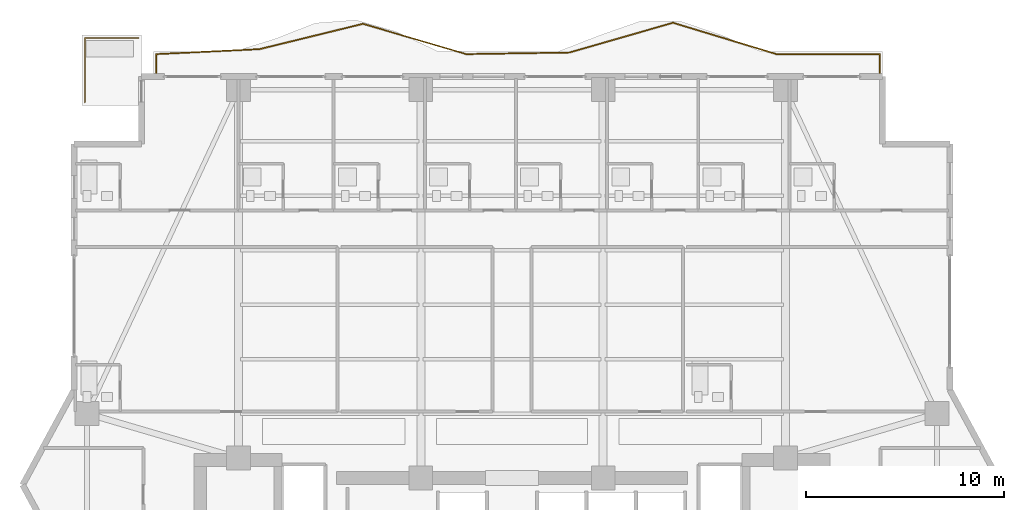
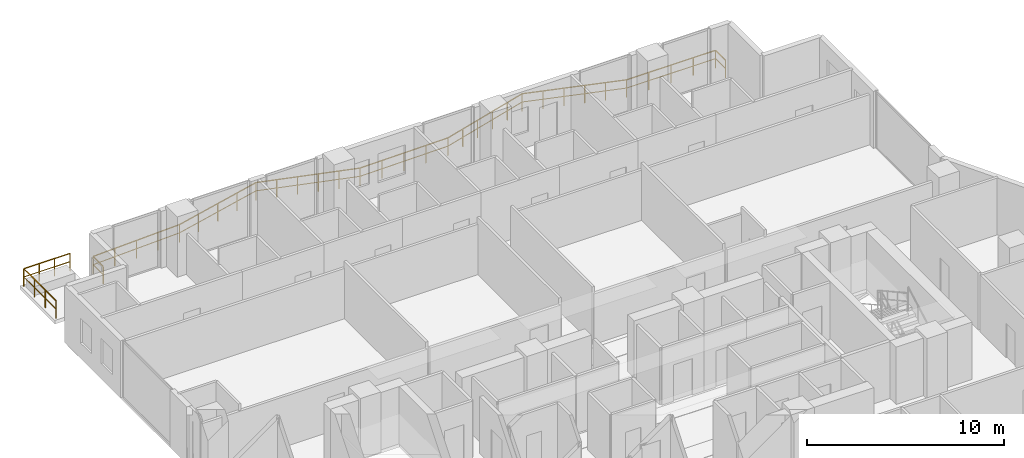
# One storey, part 31 of 32: 2 railings.
"""IFC4 building model written with IfcOpenShell, lengths in metres."""

import ifcopenshell
import ifcopenshell.guid

model = None  # the IFC model being written
_history = None  # IfcOwnerHistory: only IFC2X3 demands one
_inside = {}  # id of a spatial element -> (the spatial element, [elements in it])
_under = {}  # id of a project, library or spatial element -> (it, [spatial elements below it])
_declared = {}  # id of a project -> (the project, [libraries it declares])
_typed = {}  # id of a type object -> (the type object, [elements of that type])
_made_of = {}  # id of a material, layer set ... -> (it, [elements and type objects made of it])


def new_model(schema):
    """Start an empty IFC model of exactly this schema.

    Asked for "IFC4X3", IfcOpenShell would pick the latest addendum, in which some entities
    have other attributes; the version numbers below select the first issue.
    IFC2X3 requires an IfcOwnerHistory on every rooted entity: one is made here for all.
    """
    global model, _history
    if schema == "IFC4X3":
        model = ifcopenshell.file(schema_version=(4, 3, 0, 0))
    else:
        model = ifcopenshell.file(schema=schema)
    _inside.clear()
    _under.clear()
    _declared.clear()
    _typed.clear()
    _made_of.clear()
    _history = None
    if model.schema == "IFC2X3":
        org = make("IfcOrganization", Name="unknown")
        user = make(
            "IfcPersonAndOrganization",
            ThePerson=make("IfcPerson", FamilyName="unknown"),
            TheOrganization=org,
        )
        app = make(
            "IfcApplication",
            ApplicationDeveloper=org,
            Version="unknown",
            ApplicationFullName="unknown",
            ApplicationIdentifier="unknown",
        )
        _history = make(
            "IfcOwnerHistory",
            OwningUser=user,
            OwningApplication=app,
            ChangeAction="ADDED",
            CreationDate=0,
        )
    return model


def make(cls, **values):
    """One entity of the class cls with the attributes given. An attribute that is None is left unset."""
    return model.create_entity(
        cls, **{name: value for name, value in values.items() if value is not None}
    )


def rooted(cls, **values):
    """An entity with a GlobalId (a new one), such as an element, a storey or a relation."""
    return make(cls, GlobalId=ifcopenshell.guid.new(), OwnerHistory=_history, **values)


def si_unit(unit_type, name, prefix=None):
    """IfcSIUnit, for example si_unit("LENGTHUNIT", "METRE", prefix="MILLI")."""
    return make("IfcSIUnit", UnitType=unit_type, Prefix=prefix, Name=name)


def assignment(units):
    """IfcUnitAssignment: the units of a project."""
    return None if units is None else make("IfcUnitAssignment", Units=units)


def point(xyz):
    """IfcCartesianPoint."""
    return None if xyz is None else make("IfcCartesianPoint", Coordinates=xyz)


def direction(xyz):
    """IfcDirection."""
    return None if xyz is None else make("IfcDirection", DirectionRatios=xyz)


def frame(location, z_axis=None, x_axis=None):
    """IfcAxis2Placement3D, a coordinate frame: its origin and axes. An axis left out is left unset."""
    return make(
        "IfcAxis2Placement3D",
        Location=point(location),
        Axis=direction(z_axis),
        RefDirection=direction(x_axis),
    )


def frame_2d(location, x_axis=None):
    """IfcAxis2Placement2D, a coordinate frame in the plane: its origin and x axis."""
    return make(
        "IfcAxis2Placement2D", Location=point(location), RefDirection=direction(x_axis)
    )


def origin():
    """The frame at (0, 0, 0) with its axes left unset."""
    return frame((0.0, 0.0, 0.0))


def origin_2d():
    """The frame at (0, 0) in the plane with its x axis left unset."""
    return frame_2d((0.0, 0.0))


def place(relative_to, where):
    """IfcLocalPlacement: puts the frame where relative to a parent placement (None: the world)."""
    return make(
        "IfcLocalPlacement", PlacementRelTo=relative_to, RelativePlacement=where
    )


def context(
    kind, dimensions, precision=None, world=None, true_north=None, identifier=None
):
    """IfcGeometricRepresentationContext, for example the 3D "Model" context."""
    return make(
        "IfcGeometricRepresentationContext",
        ContextIdentifier=identifier,
        ContextType=kind,
        CoordinateSpaceDimension=dimensions,
        Precision=precision,
        WorldCoordinateSystem=world,
        TrueNorth=true_north,
    )


def subcontext(parent, identifier, kind, view, scale=None):
    """IfcGeometricRepresentationSubContext, for example "Body" below "Model"."""
    return make(
        "IfcGeometricRepresentationSubContext",
        ContextIdentifier=identifier,
        ContextType=kind,
        ParentContext=parent,
        TargetScale=scale,
        TargetView=view,
    )


def project(units=None, contexts=None):
    """IfcProject with its units and contexts."""
    return rooted(
        "IfcProject",
        Name="project",
        RepresentationContexts=contexts,
        UnitsInContext=assignment(units),
    )


def spatial(cls, under=None, at=None, **own):
    """A site, building, storey or space (cls), placed at a placement, below another one or the project."""
    s = rooted(cls, ObjectPlacement=at, **own)
    if under is not None:
        _under.setdefault(under.id(), (under, []))[1].append(s)
    return s


def profile(cls, at=None, kind="AREA", **sizes):
    """A parametric profile (cls). Its sizes go by their IFC names, for example OverallWidth=200.0."""
    return make(cls, ProfileType=kind, Position=at, **sizes)


def rectangle(**sizes):
    """IfcRectangleProfileDef."""
    return profile("IfcRectangleProfileDef", **sizes)


def extrude(swept, where, along, depth):
    """IfcExtrudedAreaSolid: the profile swept, set in the frame where, extruded along a direction by depth."""
    return make(
        "IfcExtrudedAreaSolid",
        SweptArea=swept,
        Position=where,
        ExtrudedDirection=direction(along),
        Depth=depth,
    )


def shape(context_of_items, identifier, shape_type, items):
    """IfcShapeRepresentation: the items that make up one representation, for example the "Body"."""
    return make(
        "IfcShapeRepresentation",
        ContextOfItems=context_of_items,
        RepresentationIdentifier=identifier,
        RepresentationType=shape_type,
        Items=items,
    )


def material(Name=None, Category=None):
    """IfcMaterial."""
    return make("IfcMaterial", Name=Name, Category=Category)


def made_of(thing, what):
    """Note that an element or type object is made of a material, layer set ...; save() writes the relation."""
    if what is not None:
        _made_of.setdefault(what.id(), (what, []))[1].append(thing)
    return thing


def type_object(cls, material=None, **own):
    """A type object (cls), such as IfcWallType, which elements share."""
    return made_of(rooted(cls, **own), material)


def element(
    cls,
    number,
    at=None,
    inside=None,
    cuts=None,
    type_object=None,
    material=None,
    context=None,
    identifier="Body",
    shape_type=None,
    held_by="IfcProductDefinitionShape",
    body=None,
    shapes=None,
    **own,
):
    """One element of the class cls, such as IfcWall. Its Tag is "e" and its number.

    at: its placement. inside: the storey or other place that contains it. cuts: it is an
    opening in that element (IfcRelVoidsElement). A single representation is given by context,
    identifier, shape_type and body (its items); several are given by shapes. held_by: the class
    of the entity that holds the representations. save() writes the other relations.
    """
    e = rooted(cls, Tag="e%d" % number, ObjectPlacement=at, **own)
    if body is not None:
        shapes = [shape(context, identifier, shape_type, body)]
    if shapes is not None:
        e.Representation = make(held_by, Representations=shapes)
    if inside is not None:
        _inside.setdefault(inside.id(), (inside, []))[1].append(e)
    if cuts is not None:
        rooted(
            "IfcRelVoidsElement", RelatingBuildingElement=cuts, RelatedOpeningElement=e
        )
    if type_object is not None:
        _typed.setdefault(type_object.id(), (type_object, []))[1].append(e)
    return made_of(e, material)


def aggregate(whole, parts):
    """IfcRelAggregates: a whole, such as a stair, and the parts it consists of."""
    return rooted("IfcRelAggregates", RelatingObject=whole, RelatedObjects=parts)


def save(model, path):
    """Write the relations noted so far, then the file.

    IfcRelAggregates (storeys below a building ...), IfcRelContainedInSpatialStructure (elements
    in a storey), IfcRelDefinesByType, IfcRelAssociatesMaterial and IfcRelDeclares: one each for
    every whole, place, type object, material and project.
    """
    for whole, parts in _under.values():
        aggregate(whole, parts)
    for where, things in _inside.values():
        rooted(
            "IfcRelContainedInSpatialStructure",
            RelatedElements=things,
            RelatingStructure=where,
        )
    for kind, things in _typed.values():
        rooted("IfcRelDefinesByType", RelatedObjects=things, RelatingType=kind)
    for what, things in _made_of.values():
        rooted("IfcRelAssociatesMaterial", RelatedObjects=things, RelatingMaterial=what)
    for by, libraries in _declared.values():
        rooted("IfcRelDeclares", RelatingContext=by, RelatedDefinitions=libraries)
    model.write(path)


model = new_model("IFC4")

# Units and contexts
model_context = context("Model", 3, precision=1e-05, world=origin(), true_north=direction((0.0, 1.0)))
body_context = subcontext(model_context, "Body", "Model", "MODEL_VIEW")
ifc_project = project(units=[si_unit("LENGTHUNIT", "METRE"), si_unit("AREAUNIT", "SQUARE_METRE"), si_unit("VOLUMEUNIT", "CUBIC_METRE"), si_unit("PLANEANGLEUNIT", "RADIAN"), si_unit("MASSUNIT", "GRAM", prefix="KILO")], contexts=[model_context])

# Site, building, storey
site_placement = place(None, origin())
site = spatial("IfcSite", under=ifc_project, at=site_placement, CompositionType="ELEMENT")
building_placement = place(site_placement, origin())
building = spatial("IfcBuilding", under=site, at=building_placement, Name="Zuhayl Quay Hotel", CompositionType="ELEMENT")
storey_placement = place(building_placement, frame((0.0, 0.0, 226.14990234375)))
storey = spatial("IfcBuildingStorey", under=building, at=storey_placement, Name="L57", CompositionType="ELEMENT", Elevation=226.14990234375)

# Railings
ifc_material = material(Name="Anodised Aluminium and Laminated Glass", Category="aluminium")
railing_type = type_object("IfcRailingType", Name="RL_EXT_BAL_1100", PredefinedType="BALUSTRADE", material=ifc_material)
railing_1_placement = place(storey_placement, frame((-17.9599609375, 33.719970703125, 0.0)))
element("IfcRailing", 1, at=railing_1_placement, inside=storey, type_object=railing_type, Name="L57 Balcony and Terrace Guard GR_L57_BAL_N", PredefinedType="BALUSTRADE", context=body_context, shape_type="SweptSolid", body=[
    extrude(rectangle(XDim=0.048095703125, YDim=0.048095703125, at=origin_2d()), frame((0.0, 0.0, 1.09619140625), z_axis=(0.0, 1.0, 0.0), x_axis=(-1.0, 0.0, 0.0)), (0.0, 0.0, 1.0), 1.02001953125),
    extrude(rectangle(XDim=0.0361328125, YDim=0.0361328125, at=origin_2d()), frame((0.0, 0.0, 0.58251953125), z_axis=(0.0, 1.0, 0.0), x_axis=(-1.0, 0.0, 0.0)), (0.0, 0.0, 1.0), 1.02001953125),
    extrude(rectangle(XDim=0.048095703125, YDim=0.048095703125, at=origin_2d()), frame((0.0, 1.02001953125, 1.09619140625), z_axis=(0.998844859472, 0.048051500563, 0.0), x_axis=(-0.048051500563, 0.998844859472, 0.0)), (0.0, 0.0, 1.0), 5.22314453125),
    extrude(rectangle(XDim=0.0361328125, YDim=0.0361328125, at=origin_2d()), frame((0.0, 1.02001953125, 0.58251953125), z_axis=(0.998844859472, 0.048051500563, 0.0), x_axis=(-0.048051500563, 0.998844859472, 0.0)), (0.0, 0.0, 1.0), 5.22314453125),
    extrude(rectangle(XDim=0.048095703125, YDim=0.048095703125, at=origin_2d()), frame((5.217041015625, 1.27099609375, 1.09619140625), z_axis=(0.971260225732, 0.238020112408, 0.0), x_axis=(-0.238020112408, 0.971260225732, 0.0)), (0.0, 0.0, 1.0), 5.37158203125),
    extrude(rectangle(XDim=0.0361328125, YDim=0.0361328125, at=origin_2d()), frame((5.217041015625, 1.27099609375, 0.58251953125), z_axis=(0.971260225732, 0.238020112408, 0.0), x_axis=(-0.238020112408, 0.971260225732, 0.0)), (0.0, 0.0, 1.0), 5.37158203125),
    extrude(rectangle(XDim=0.048095703125, YDim=0.048095703125, at=origin_2d()), frame((10.434326171875, 2.549560546875, 1.09619140625), z_axis=(0.959608270132, -0.281339595319, 0.0), x_axis=(0.281339595319, 0.959608270132, 0.0)), (0.0, 0.0, 1.0), 5.4365234375),
    extrude(rectangle(XDim=0.0361328125, YDim=0.0361328125, at=origin_2d()), frame((10.434326171875, 2.549560546875, 0.58251953125), z_axis=(0.959608270132, -0.281339595319, 0.0), x_axis=(0.281339595319, 0.959608270132, 0.0)), (0.0, 0.0, 1.0), 5.4365234375),
    extrude(rectangle(XDim=0.048095703125, YDim=0.048095703125, at=origin_2d()), frame((15.6513671875, 1.02001953125, 1.09619140625), z_axis=(0.999875680353, 0.015767810214, 0.0), x_axis=(-0.015767810214, 0.999875680353, 0.0)), (0.0, 0.0, 1.0), 5.218017578125),
    extrude(rectangle(XDim=0.0361328125, YDim=0.0361328125, at=origin_2d()), frame((15.6513671875, 1.02001953125, 0.58251953125), z_axis=(0.999875680353, 0.015767810214, 0.0), x_axis=(-0.015767810214, 0.999875680353, 0.0)), (0.0, 0.0, 1.0), 5.218017578125),
    extrude(rectangle(XDim=0.048095703125, YDim=0.048095703125, at=origin_2d()), frame((20.86865234375, 1.102294921875, 1.09619140625), z_axis=(0.961052432779, 0.276366100399, 0.0), x_axis=(-0.276366100399, 0.961052432779, 0.0)), (0.0, 0.0, 1.0), 5.428466796875),
    extrude(rectangle(XDim=0.0361328125, YDim=0.0361328125, at=origin_2d()), frame((20.86865234375, 1.102294921875, 0.58251953125), z_axis=(0.961052432779, 0.276366100399, 0.0), x_axis=(-0.276366100399, 0.961052432779, 0.0)), (0.0, 0.0, 1.0), 5.428466796875),
    extrude(rectangle(XDim=0.048095703125, YDim=0.048095703125, at=origin_2d()), frame((26.085693359375, 2.6025390625, 1.09619140625), z_axis=(0.956946786819, -0.290263410021, 0.0), x_axis=(0.290263410021, 0.956946786819, 0.0)), (0.0, 0.0, 1.0), 5.451904296875),
    extrude(rectangle(XDim=0.0361328125, YDim=0.0361328125, at=origin_2d()), frame((26.085693359375, 2.6025390625, 0.58251953125), z_axis=(0.956946786819, -0.290263410021, 0.0), x_axis=(0.290263410021, 0.956946786819, 0.0)), (0.0, 0.0, 1.0), 5.451904296875),
    extrude(rectangle(XDim=0.048095703125, YDim=0.048095703125, at=origin_2d()), frame((31.302978515625, 1.02001953125, 1.09619140625), z_axis=(1.0, 0.0, 0.0), x_axis=(0.0, 1.0, 0.0)), (0.0, 0.0, 1.0), 5.217041015625),
    extrude(rectangle(XDim=0.0361328125, YDim=0.0361328125, at=origin_2d()), frame((31.302978515625, 1.02001953125, 0.58251953125), z_axis=(1.0, 0.0, 0.0), x_axis=(0.0, 1.0, 0.0)), (0.0, 0.0, 1.0), 5.217041015625),
    extrude(rectangle(XDim=0.048095703125, YDim=0.048095703125, at=origin_2d()), frame((36.52001953125, 1.02001953125, 1.09619140625), z_axis=(0.0, -1.0, 0.0), x_axis=(1.0, 0.0, 0.0)), (0.0, 0.0, 1.0), 1.02001953125),
    extrude(rectangle(XDim=0.0361328125, YDim=0.0361328125, at=origin_2d()), frame((36.52001953125, 1.02001953125, 0.58251953125), z_axis=(0.0, -1.0, 0.0), x_axis=(1.0, 0.0, 0.0)), (0.0, 0.0, 1.0), 1.02001953125),
    extrude(rectangle(XDim=0.0419921875, YDim=0.0419921875, at=origin_2d()), origin(), (0.0, 0.0, 1.0), 1.072021484375),
    extrude(rectangle(XDim=0.0419921875, YDim=0.0419921875, at=origin_2d()), frame((0.0, 1.02001953125, 0.0)), (0.0, 0.0, 1.0), 1.072021484375),
    extrude(rectangle(XDim=0.0419921875, YDim=0.0419921875, at=origin_2d()), frame((1.30419921875, 1.082763671875, 0.0)), (0.0, 0.0, 1.0), 1.072021484375),
    extrude(rectangle(XDim=0.0419921875, YDim=0.0419921875, at=origin_2d()), frame((2.6083984375, 1.1455078125, 0.0)), (0.0, 0.0, 1.0), 1.072021484375),
    extrude(rectangle(XDim=0.0419921875, YDim=0.0419921875, at=origin_2d()), frame((3.912841796875, 1.208251953125, 0.0)), (0.0, 0.0, 1.0), 1.072021484375),
    extrude(rectangle(XDim=0.0419921875, YDim=0.0419921875, at=origin_2d()), frame((5.217041015625, 1.27099609375, 0.0)), (0.0, 0.0, 1.0), 1.072021484375),
    extrude(rectangle(XDim=0.0419921875, YDim=0.0419921875, at=origin_2d()), frame((6.521484375, 1.590576171875, 0.0)), (0.0, 0.0, 1.0), 1.072021484375),
    extrude(rectangle(XDim=0.0419921875, YDim=0.0419921875, at=origin_2d()), frame((7.82568359375, 1.91015625, 0.0)), (0.0, 0.0, 1.0), 1.072021484375),
    extrude(rectangle(XDim=0.0419921875, YDim=0.0419921875, at=origin_2d()), frame((9.1298828125, 2.22998046875, 0.0)), (0.0, 0.0, 1.0), 1.072021484375),
    extrude(rectangle(XDim=0.0419921875, YDim=0.0419921875, at=origin_2d()), frame((10.434326171875, 2.549560546875, 0.0)), (0.0, 0.0, 1.0), 1.072021484375),
    extrude(rectangle(XDim=0.0419921875, YDim=0.0419921875, at=origin_2d()), frame((11.477783203125, 2.24365234375, 0.0)), (0.0, 0.0, 1.0), 1.072021484375),
    extrude(rectangle(XDim=0.0419921875, YDim=0.0419921875, at=origin_2d()), frame((12.521240234375, 1.937744140625, 0.0)), (0.0, 0.0, 1.0), 1.072021484375),
    extrude(rectangle(XDim=0.0419921875, YDim=0.0419921875, at=origin_2d()), frame((13.564453125, 1.6318359375, 0.0)), (0.0, 0.0, 1.0), 1.072021484375),
    extrude(rectangle(XDim=0.0419921875, YDim=0.0419921875, at=origin_2d()), frame((14.60791015625, 1.325927734375, 0.0)), (0.0, 0.0, 1.0), 1.072021484375),
    extrude(rectangle(XDim=0.0419921875, YDim=0.0419921875, at=origin_2d()), frame((15.6513671875, 1.02001953125, 0.0)), (0.0, 0.0, 1.0), 1.072021484375),
    extrude(rectangle(XDim=0.0419921875, YDim=0.0419921875, at=origin_2d()), frame((16.95556640625, 1.04052734375, 0.0)), (0.0, 0.0, 1.0), 1.072021484375),
    extrude(rectangle(XDim=0.0419921875, YDim=0.0419921875, at=origin_2d()), frame((18.260009765625, 1.06103515625, 0.0)), (0.0, 0.0, 1.0), 1.072021484375),
    extrude(rectangle(XDim=0.0419921875, YDim=0.0419921875, at=origin_2d()), frame((19.564453125, 1.081787109375, 0.0)), (0.0, 0.0, 1.0), 1.072021484375),
    extrude(rectangle(XDim=0.0419921875, YDim=0.0419921875, at=origin_2d()), frame((20.86865234375, 1.102294921875, 0.0)), (0.0, 0.0, 1.0), 1.072021484375),
    extrude(rectangle(XDim=0.0419921875, YDim=0.0419921875, at=origin_2d()), frame((21.912109375, 1.40234375, 0.0)), (0.0, 0.0, 1.0), 1.072021484375),
    extrude(rectangle(XDim=0.0419921875, YDim=0.0419921875, at=origin_2d()), frame((22.95556640625, 1.702392578125, 0.0)), (0.0, 0.0, 1.0), 1.072021484375),
    extrude(rectangle(XDim=0.0419921875, YDim=0.0419921875, at=origin_2d()), frame((23.998779296875, 2.00244140625, 0.0)), (0.0, 0.0, 1.0), 1.072021484375),
    extrude(rectangle(XDim=0.0419921875, YDim=0.0419921875, at=origin_2d()), frame((25.042236328125, 2.302490234375, 0.0)), (0.0, 0.0, 1.0), 1.072021484375),
    extrude(rectangle(XDim=0.0419921875, YDim=0.0419921875, at=origin_2d()), frame((26.085693359375, 2.6025390625, 0.0)), (0.0, 0.0, 1.0), 1.072021484375),
    extrude(rectangle(XDim=0.0419921875, YDim=0.0419921875, at=origin_2d()), frame((27.129150390625, 2.2861328125, 0.0)), (0.0, 0.0, 1.0), 1.072021484375),
    extrude(rectangle(XDim=0.0419921875, YDim=0.0419921875, at=origin_2d()), frame((28.172607421875, 1.969482421875, 0.0)), (0.0, 0.0, 1.0), 1.072021484375),
    extrude(rectangle(XDim=0.0419921875, YDim=0.0419921875, at=origin_2d()), frame((29.216064453125, 1.653076171875, 0.0)), (0.0, 0.0, 1.0), 1.072021484375),
    extrude(rectangle(XDim=0.0419921875, YDim=0.0419921875, at=origin_2d()), frame((30.259521484375, 1.33642578125, 0.0)), (0.0, 0.0, 1.0), 1.072021484375),
    extrude(rectangle(XDim=0.0419921875, YDim=0.0419921875, at=origin_2d()), frame((31.302978515625, 1.02001953125, 0.0)), (0.0, 0.0, 1.0), 1.072021484375),
    extrude(rectangle(XDim=0.0419921875, YDim=0.0419921875, at=origin_2d()), frame((32.607177734375, 1.02001953125, 0.0)), (0.0, 0.0, 1.0), 1.072021484375),
    extrude(rectangle(XDim=0.0419921875, YDim=0.0419921875, at=origin_2d()), frame((33.91162109375, 1.02001953125, 0.0)), (0.0, 0.0, 1.0), 1.072021484375),
    extrude(rectangle(XDim=0.0419921875, YDim=0.0419921875, at=origin_2d()), frame((35.2158203125, 1.02001953125, 0.0)), (0.0, 0.0, 1.0), 1.072021484375),
    extrude(rectangle(XDim=0.0419921875, YDim=0.0419921875, at=origin_2d()), frame((36.52001953125, 1.02001953125, 0.0)), (0.0, 0.0, 1.0), 1.072021484375),
    extrude(rectangle(XDim=0.0419921875, YDim=0.0419921875, at=origin_2d()), frame((36.52001953125, 0.0, 0.0)), (0.0, 0.0, 1.0), 1.072021484375),
])
railing_2_placement = place(storey_placement, frame((-18.840087890625, 35.56005859375, 0.0)))
element("IfcRailing", 2, at=railing_2_placement, inside=storey, type_object=railing_type, Name="L57 Balcony and Terrace Guard GR_L57_SPIRAL_NW", PredefinedType="BALUSTRADE", context=body_context, shape_type="SweptSolid", body=[
    extrude(rectangle(XDim=0.048095703125, YDim=0.048095703125, at=origin_2d()), frame((0.0, 0.0, 1.09619140625), z_axis=(-1.0, 0.0, 0.0), x_axis=(0.0, -1.0, 0.0)), (0.0, 0.0, 1.0), 2.719970703125),
    extrude(rectangle(XDim=0.0361328125, YDim=0.0361328125, at=origin_2d()), frame((0.0, 0.0, 0.58251953125), z_axis=(-1.0, 0.0, 0.0), x_axis=(0.0, -1.0, 0.0)), (0.0, 0.0, 1.0), 2.719970703125),
    extrude(rectangle(XDim=0.048095703125, YDim=0.048095703125, at=origin_2d()), frame((-2.719970703125, 0.0, 1.09619140625), z_axis=(0.0, -1.0, 0.0), x_axis=(1.0, 0.0, 0.0)), (0.0, 0.0, 1.0), 3.27001953125),
    extrude(rectangle(XDim=0.0361328125, YDim=0.0361328125, at=origin_2d()), frame((-2.719970703125, 0.0, 0.58251953125), z_axis=(0.0, -1.0, 0.0), x_axis=(1.0, 0.0, 0.0)), (0.0, 0.0, 1.0), 3.27001953125),
    extrude(rectangle(XDim=0.0419921875, YDim=0.0419921875, at=origin_2d()), origin(), (0.0, 0.0, 1.0), 1.072021484375),
    extrude(rectangle(XDim=0.0419921875, YDim=0.0419921875, at=origin_2d()), frame((-0.90673828125, 0.0, 0.0)), (0.0, 0.0, 1.0), 1.072021484375),
    extrude(rectangle(XDim=0.0419921875, YDim=0.0419921875, at=origin_2d()), frame((-1.813232421875, 0.0, 0.0)), (0.0, 0.0, 1.0), 1.072021484375),
    extrude(rectangle(XDim=0.0419921875, YDim=0.0419921875, at=origin_2d()), frame((-2.719970703125, 0.0, 0.0)), (0.0, 0.0, 1.0), 1.072021484375),
    extrude(rectangle(XDim=0.0419921875, YDim=0.0419921875, at=origin_2d()), frame((-2.719970703125, -1.090087890625, 0.0)), (0.0, 0.0, 1.0), 1.072021484375),
    extrude(rectangle(XDim=0.0419921875, YDim=0.0419921875, at=origin_2d()), frame((-2.719970703125, -2.179931640625, 0.0)), (0.0, 0.0, 1.0), 1.072021484375),
    extrude(rectangle(XDim=0.0419921875, YDim=0.0419921875, at=origin_2d()), frame((-2.719970703125, -3.27001953125, 0.0)), (0.0, 0.0, 1.0), 1.072021484375),
])

save(model, "model.ifc")
